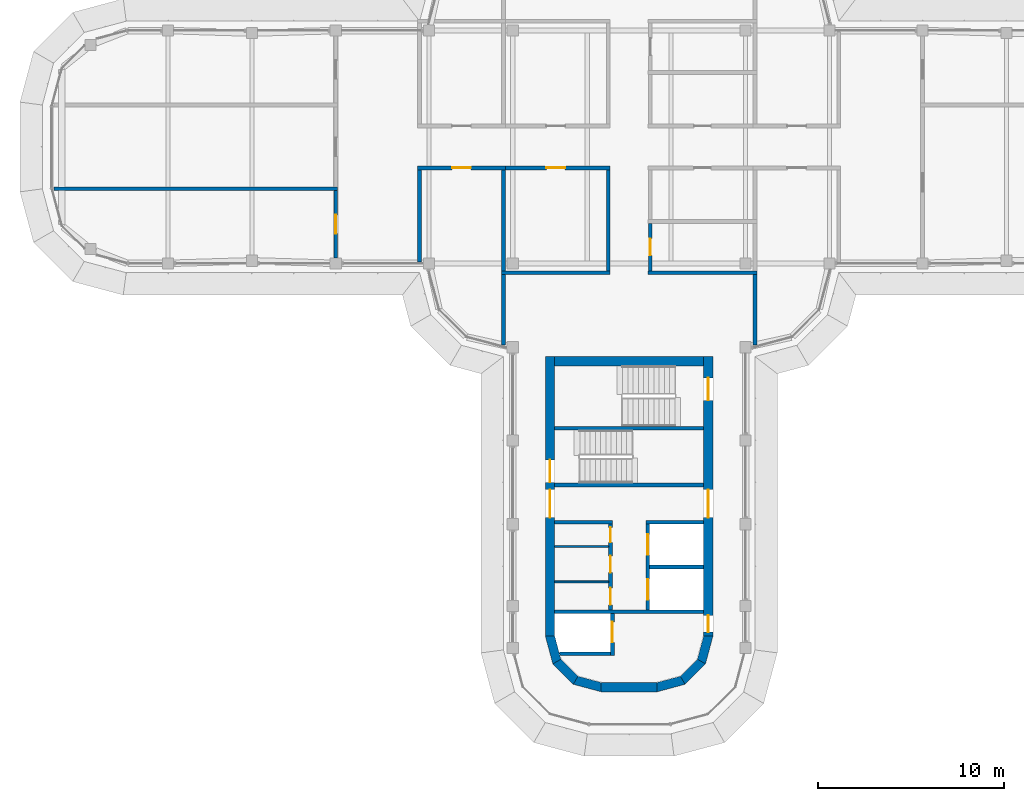
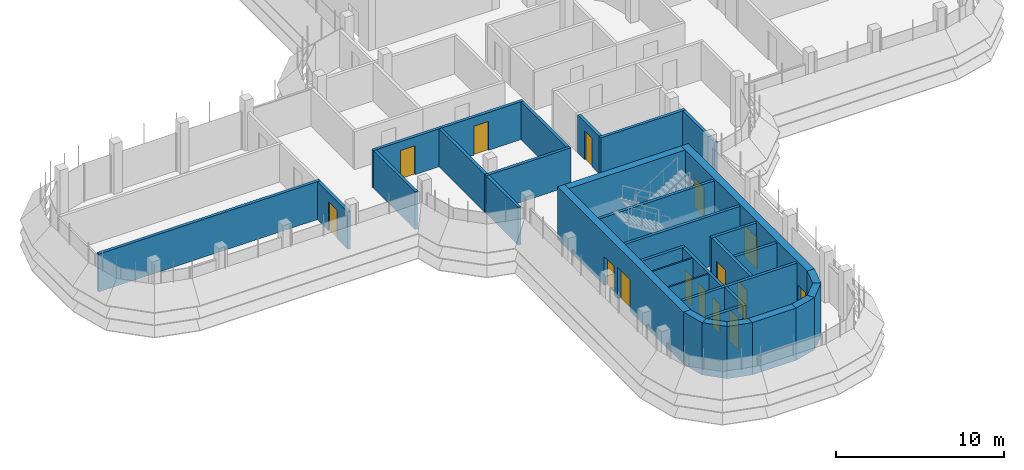
# One storey, part 13 of 19: 34 walls, 15 doors, 15 openings.
"""IFC4 building model written with IfcOpenShell, lengths in metres."""

from ifc_helpers import new_model, si_unit, direction, frame, frame_2d, origin, place, context, subcontext, project, spatial, polyline, rectangle, outline, extrude, material, layer, layer_set, type_object, element, fill, save


model = new_model("IFC4")

# Units and contexts
model_context = context("Model", 3, precision=1e-05, world=origin(), true_north=direction((0.0, 1.0)))
body_context = subcontext(model_context, "Body", "Model", "MODEL_VIEW")
ifc_project = project(units=[si_unit("LENGTHUNIT", "METRE"), si_unit("AREAUNIT", "SQUARE_METRE"), si_unit("VOLUMEUNIT", "CUBIC_METRE"), si_unit("PLANEANGLEUNIT", "RADIAN"), si_unit("MASSUNIT", "GRAM", prefix="KILO")], contexts=[model_context])

# Site, building, storey
site_placement = place(None, origin())
site = spatial("IfcSite", under=ifc_project, at=site_placement, CompositionType="ELEMENT")
building_placement = place(site_placement, origin())
building = spatial("IfcBuilding", under=site, at=building_placement, Name="Zarbagh Exchange Tower", CompositionType="ELEMENT")
storey_placement = place(building_placement, frame((0.0, 0.0, 272.60009765625)))
storey = spatial("IfcBuildingStorey", under=building, at=storey_placement, Name="L67", CompositionType="ELEMENT", Elevation=272.60009765625)

# Walls
ifc_material_1 = material(Name="Dense blockwork", Category="masonry")
ifc_layer_1 = layer(ifc_material_1, 0.10009765625)
ifc_layer_set_1 = layer_set([ifc_layer_1], Name="Core partition 100 mm blockwork")
wall_type_1 = type_object("IfcWallType", Name="Core partition 100 mm blockwork", PredefinedType="PARTITIONING", material=ifc_layer_set_1)
for number, where, z_axis, x_axis, name in (
    (1, (-1.10009765625, -23.35009765625, 0.0), (0.0, 0.0, 1.0), (-1.0, 0.0, 0.0), "South core partition wall CUT-E-500"),
    (2, (-1.10009765625, -21.449951171875, 0.0), (0.0, 0.0, 1.0), (-1.0, 0.0, 0.0), "South core partition wall CUT-E-690"),
):
    element("IfcWall", number, at=place(storey_placement, frame(where, z_axis=z_axis, x_axis=x_axis)), inside=storey, type_object=wall_type_1, Name=name, PredefinedType="PARTITIONING", context=body_context, shape_type="SweptSolid", body=[
        extrude(rectangle(XDim=2.89990234375, YDim=0.10009765625, at=frame_2d((1.449951171875, 0.0))), origin(), (0.0, 0.0, 1.0), 3.64990234375),
    ])

# Wall, opening, door
ifc_material_2 = material(Name="Fire-rated plasterboard partition")
ifc_layer_2 = layer(ifc_material_2, 0.199951171875)
ifc_layer_set_2 = layer_set([ifc_layer_2], Name="RATED PARTITION 200")
wall_type_2 = type_object("IfcWallType", Name="RATED PARTITION 200", PredefinedType="PARTITIONING", material=ifc_layer_set_2)
wall_1_placement = place(storey_placement, frame((-1.02490234375, -1.125, 0.0), z_axis=(0.0, 0.0, 1.0), x_axis=(-1.0, 0.0, 0.0)))
wall_1 = element("IfcWall", 3, at=wall_1_placement, inside=storey, type_object=wall_type_2, Name="Partition W-2807", PredefinedType="PARTITIONING", context=body_context, shape_type="SweptSolid", body=[
    extrude(rectangle(XDim=5.8251953125, YDim=0.199951171875, at=frame_2d((2.91259765625, 0.0))), origin(), (0.0, 0.0, 1.0), 2.75),
])
opening_1_placement = place(wall_1_placement, frame((2.41259765625, 0.0, 0.0)))
opening_1 = element("IfcOpeningElement", 4, at=opening_1_placement, cuts=wall_1, Name="Opening D-2812", PredefinedType="OPENING", context=body_context, shape_type="SweptSolid", body=[
    extrude(rectangle(XDim=1.0, YDim=2.10009765625, at=frame_2d((0.5, 1.050048828125))), frame((0.0, 0.10986328125, 0.0), z_axis=(0.0, -1.0, 0.0), x_axis=(1.0, 0.0, 0.0)), (0.0, 0.0, 1.0), 0.219970703125),
])
ifc_material_3 = material(Name="Steel door set", Category="steel")
door_type_1 = type_object("IfcDoorType", Name="FIRE DOOR 1000 X 2100 FD30S", OperationType="NOTDEFINED", PredefinedType="DOOR", material=ifc_material_3)
door_1_placement = place(opening_1_placement, origin())
door_1 = element("IfcDoor", 5, at=door_1_placement, inside=storey, type_object=door_type_1, Name="Door D-2812", OperationType="SINGLE_SWING_RIGHT", OverallHeight=2.10009765625, OverallWidth=1.0, PredefinedType="DOOR", context=body_context, shape_type="SweptSolid", body=[
    extrude(rectangle(XDim=1.0, YDim=2.10009765625, at=frame_2d((0.5, 1.050048828125))), frame((0.0, 0.02490234375, 0.0), z_axis=(0.0, -1.0, 0.0), x_axis=(1.0, 0.0, 0.0)), (0.0, 0.0, 1.0), 0.050048828125),
])
fill(opening_1, door_1)

wall_2_placement = place(storey_placement, frame((-6.64990234375, -1.125, 0.0), z_axis=(0.0, 0.0, 1.0), x_axis=(-1.0, 0.0, 0.0)))
wall_2 = element("IfcWall", 6, at=wall_2_placement, inside=storey, type_object=wall_type_2, Name="Partition W-2808", PredefinedType="PARTITIONING", context=body_context, shape_type="SweptSolid", body=[
    extrude(rectangle(XDim=4.7001953125, YDim=0.199951171875, at=frame_2d((2.35009765625, 0.0))), origin(), (0.0, 0.0, 1.0), 2.75),
])
opening_2_placement = place(wall_2_placement, frame((1.85009765625, 0.0, 0.0)))
opening_2 = element("IfcOpeningElement", 7, at=opening_2_placement, cuts=wall_2, Name="Opening D-2813", PredefinedType="OPENING", context=body_context, shape_type="SweptSolid", body=[
    extrude(rectangle(XDim=1.0, YDim=2.10009765625, at=frame_2d((0.5, 1.050048828125))), frame((0.0, 0.10986328125, 0.0), z_axis=(0.0, -1.0, 0.0), x_axis=(1.0, 0.0, 0.0)), (0.0, 0.0, 1.0), 0.219970703125),
])
door_2_placement = place(opening_2_placement, origin())
door_2 = element("IfcDoor", 8, at=door_2_placement, inside=storey, type_object=door_type_1, Name="Door D-2813", OperationType="SINGLE_SWING_RIGHT", OverallHeight=2.10009765625, OverallWidth=1.0, PredefinedType="DOOR", context=body_context, shape_type="SweptSolid", body=[
    extrude(rectangle(XDim=1.0, YDim=2.10009765625, at=frame_2d((0.5, 1.050048828125))), frame((0.0, 0.02490234375, 0.0), z_axis=(0.0, -1.0, 0.0), x_axis=(1.0, 0.0, 0.0)), (0.0, 0.0, 1.0), 0.050048828125),
])
fill(opening_2, door_2)

wall_3_placement = place(storey_placement, frame((1.125, -4.10009765625, 0.0), z_axis=(0.0, 0.0, 1.0), x_axis=(0.0, -1.0, 0.0)))
wall_3 = element("IfcWall", 9, at=wall_3_placement, inside=storey, type_object=wall_type_2, Name="Partition W-2813", PredefinedType="PARTITIONING", context=body_context, shape_type="SweptSolid", body=[
    extrude(rectangle(XDim=2.5498046875, YDim=0.199951171875, at=frame_2d((1.27490234375, 0.0))), origin(), (0.0, 0.0, 1.0), 2.75),
])
opening_3_placement = place(wall_3_placement, frame((0.824951171875, 0.0, 0.0)))
opening_3 = element("IfcOpeningElement", 10, at=opening_3_placement, cuts=wall_3, Name="Opening D-2810", PredefinedType="OPENING", context=body_context, shape_type="SweptSolid", body=[
    extrude(rectangle(XDim=0.89990234375, YDim=2.10009765625, at=frame_2d((0.449951171875, 1.050048828125))), frame((0.0, 0.10986328125, 0.0), z_axis=(0.0, -1.0, 0.0), x_axis=(1.0, 0.0, 0.0)), (0.0, 0.0, 1.0), 0.219970703125),
])
ifc_material_4 = material(Name="Timber door leaf", Category="wood")
door_type_2 = type_object("IfcDoorType", Name="DOOR 900 X 2100", OperationType="NOTDEFINED", PredefinedType="DOOR", material=ifc_material_4)
door_3_placement = place(opening_3_placement, origin())
door_3 = element("IfcDoor", 11, at=door_3_placement, inside=storey, type_object=door_type_2, Name="Door D-2810", OperationType="SINGLE_SWING_RIGHT", OverallHeight=2.10009765625, OverallWidth=0.89990234375, PredefinedType="DOOR", context=body_context, shape_type="SweptSolid", body=[
    extrude(rectangle(XDim=0.89990234375, YDim=2.10009765625, at=frame_2d((0.449951171875, 1.050048828125))), frame((0.0, 0.02490234375, 0.0), z_axis=(0.0, -1.0, 0.0), x_axis=(1.0, 0.0, 0.0)), (0.0, 0.0, 1.0), 0.050048828125),
])
fill(opening_3, door_3)

# Walls
wall_4_placement = place(storey_placement, frame((-1.125, -6.64990234375, 0.0), z_axis=(0.0, 0.0, 1.0), x_axis=(0.0, 1.0, 0.0)))
element("IfcWall", 12, at=wall_4_placement, inside=storey, type_object=wall_type_2, Name="Partition W-2814", PredefinedType="PARTITIONING", context=body_context, shape_type="SweptSolid", body=[
    extrude(rectangle(XDim=5.4248046875, YDim=0.199951171875, at=frame_2d((2.71240234375, 0.0))), origin(), (0.0, 0.0, 1.0), 2.75),
])
wall_5_placement = place(storey_placement, frame((1.02490234375, -6.75, 0.0), z_axis=(0.0, 0.0, 1.0), x_axis=(1.0, 0.0, 0.0)))
element("IfcWall", 13, at=wall_5_placement, inside=storey, type_object=wall_type_2, Name="Partition W-2819", PredefinedType="PARTITIONING", context=body_context, shape_type="SweptSolid", body=[
    extrude(rectangle(XDim=5.8251953125, YDim=0.199951171875, at=frame_2d((2.91259765625, 0.0))), origin(), (0.0, 0.0, 1.0), 2.75),
])
wall_6_placement = place(storey_placement, frame((6.75, -10.6298828125, 0.0), z_axis=(0.0, 0.0, 1.0), x_axis=(0.0, 1.0, 0.0)))
element("IfcWall", 14, at=wall_6_placement, inside=storey, type_object=wall_type_2, Name="Partition W-2820", PredefinedType="PARTITIONING", context=body_context, shape_type="SweptSolid", body=[
    extrude(rectangle(XDim=3.77978515625, YDim=0.199951171875, at=frame_2d((1.889892578125, 0.0))), origin(), (0.0, 0.0, 1.0), 2.75),
])
wall_7_placement = place(storey_placement, frame((-6.85009765625, -6.75, 0.0), z_axis=(0.0, 0.0, 1.0), x_axis=(1.0, 0.0, 0.0)))
element("IfcWall", 15, at=wall_7_placement, inside=storey, type_object=wall_type_2, Name="Partition W-2821", PredefinedType="PARTITIONING", context=body_context, shape_type="SweptSolid", body=[
    extrude(rectangle(XDim=5.8251953125, YDim=0.199951171875, at=frame_2d((2.91259765625, 0.0))), origin(), (0.0, 0.0, 1.0), 2.75),
])
wall_8_placement = place(storey_placement, frame((-6.75, -10.6298828125, 0.0), z_axis=(0.0, 0.0, 1.0), x_axis=(0.0, 1.0, 0.0)))
element("IfcWall", 16, at=wall_8_placement, inside=storey, type_object=wall_type_2, Name="Partition W-2822", PredefinedType="PARTITIONING", context=body_context, shape_type="SweptSolid", body=[
    extrude(rectangle(XDim=3.77978515625, YDim=0.199951171875, at=frame_2d((1.889892578125, 0.0))), origin(), (0.0, 0.0, 1.0), 2.75),
])
wall_9_placement = place(storey_placement, frame((-6.75, -6.64990234375, 0.0), z_axis=(0.0, 0.0, 1.0), x_axis=(0.0, 1.0, 0.0)))
element("IfcWall", 17, at=wall_9_placement, inside=storey, type_object=wall_type_2, Name="Partition W-2834", PredefinedType="PARTITIONING", context=body_context, shape_type="SweptSolid", body=[
    extrude(rectangle(XDim=5.4248046875, YDim=0.199951171875, at=frame_2d((2.71240234375, 0.0))), origin(), (0.0, 0.0, 1.0), 2.75),
])
wall_10_placement = place(storey_placement, frame((-11.25, -6.169921875, 0.0), z_axis=(0.0, 0.0, 1.0), x_axis=(0.0, 1.0, 0.0)))
element("IfcWall", 18, at=wall_10_placement, inside=storey, type_object=wall_type_2, Name="Partition W-2835", PredefinedType="PARTITIONING", context=body_context, shape_type="SweptSolid", body=[
    extrude(rectangle(XDim=4.94482421875, YDim=0.199951171875, at=frame_2d((2.472412109375, 0.0))), origin(), (0.0, 0.0, 1.0), 2.75),
])

# Wall, opening, door
wall_11_placement = place(storey_placement, frame((-15.75, -5.949951171875, 0.0), z_axis=(0.0, 0.0, 1.0), x_axis=(0.0, 1.0, 0.0)))
wall_11 = element("IfcWall", 19, at=wall_11_placement, inside=storey, type_object=wall_type_2, Name="Partition W-2839", PredefinedType="PARTITIONING", context=body_context, shape_type="SweptSolid", body=[
    extrude(rectangle(XDim=3.599853515625, YDim=0.199951171875, at=frame_2d((1.7998046875, 0.0))), origin(), (0.0, 0.0, 1.0), 2.75),
])
opening_4_placement = place(wall_11_placement, frame((1.300048828125, 0.0, 0.0)))
opening_4 = element("IfcOpeningElement", 20, at=opening_4_placement, cuts=wall_11, Name="Opening D-2814", PredefinedType="OPENING", context=body_context, shape_type="SweptSolid", body=[
    extrude(rectangle(XDim=1.0, YDim=2.10009765625, at=frame_2d((0.5, 1.050048828125))), frame((0.0, 0.10986328125, 0.0), z_axis=(0.0, -1.0, 0.0), x_axis=(1.0, 0.0, 0.0)), (0.0, 0.0, 1.0), 0.219970703125),
])
door_4_placement = place(opening_4_placement, origin())
door_4 = element("IfcDoor", 21, at=door_4_placement, inside=storey, type_object=door_type_1, Name="Door D-2814", OperationType="SINGLE_SWING_LEFT", OverallHeight=2.10009765625, OverallWidth=1.0, PredefinedType="DOOR", context=body_context, shape_type="SweptSolid", body=[
    extrude(rectangle(XDim=1.0, YDim=2.10009765625, at=frame_2d((0.5, 1.050048828125))), frame((0.0, 0.02490234375, 0.0), z_axis=(0.0, -1.0, 0.0), x_axis=(1.0, 0.0, 0.0)), (0.0, 0.0, 1.0), 0.050048828125),
])
fill(opening_4, door_4)

# Walls
wall_12_placement = place(storey_placement, frame((-30.8798828125, -2.25, 0.0), z_axis=(0.0, 0.0, 1.0), x_axis=(1.0, 0.0, 0.0)))
element("IfcWall", 22, at=wall_12_placement, inside=storey, type_object=wall_type_2, Name="Partition W-2842", PredefinedType="PARTITIONING", context=body_context, shape_type="SweptSolid", body=[
    extrude(rectangle(XDim=15.22998046875, YDim=0.199951171875, at=frame_2d((7.614990234375, 0.0))), origin(), (0.0, 0.0, 1.0), 2.75),
])
ifc_material_5 = material(Name="Concrete C40/50", Category="concrete")
ifc_layer_3 = layer(ifc_material_5, 0.5)
ifc_layer_set_3 = layer_set([ifc_layer_3], Name="RC core corner wall 500 C40/50")
wall_type_3 = type_object("IfcWallType", Name="RC core corner wall 500 C40/50", PredefinedType="SHEAR", material=ifc_layer_set_3)
wall_13_placement = place(storey_placement, origin())
element("IfcWall", 23, at=wall_13_placement, inside=storey, type_object=wall_type_3, Name="CW10 core S corner W", PredefinedType="SHEAR", context=body_context, shape_type="SweptSolid", body=[
    extrude(outline(polyline([(-4.5, -26.25), (-4.09814453125, -27.75), (-3.6650390625, -27.5), (-4.0, -26.25), (-4.5, -26.25)])), origin(), (0.0, 0.0, 1.0), 3.7998046875),
])
wall_14_placement = place(storey_placement, origin())
element("IfcWall", 24, at=wall_14_placement, inside=storey, type_object=wall_type_3, Name="CW10 core S corner W", PredefinedType="SHEAR", context=body_context, shape_type="SweptSolid", body=[
    extrude(outline(polyline([(-4.09814453125, -27.75), (-3.0, -28.84814453125), (-2.75, -28.4150390625), (-3.6650390625, -27.5), (-4.09814453125, -27.75)])), origin(), (0.0, 0.0, 1.0), 3.7998046875),
])
wall_15_placement = place(storey_placement, origin())
element("IfcWall", 25, at=wall_15_placement, inside=storey, type_object=wall_type_3, Name="CW10 core S corner W", PredefinedType="SHEAR", context=body_context, shape_type="SweptSolid", body=[
    extrude(outline(polyline([(-3.0, -28.84814453125), (-1.5, -29.25), (-1.5, -28.75), (-2.75, -28.4150390625), (-3.0, -28.84814453125)])), origin(), (0.0, 0.0, 1.0), 3.7998046875),
])
wall_16_placement = place(storey_placement, origin())
element("IfcWall", 26, at=wall_16_placement, inside=storey, type_object=wall_type_3, Name="CW10 core S corner E", PredefinedType="SHEAR", context=body_context, shape_type="SweptSolid", body=[
    extrude(outline(polyline([(4.5, -26.25), (4.09814453125, -27.75), (3.6650390625, -27.5), (4.0, -26.25), (4.5, -26.25)])), origin(), (0.0, 0.0, 1.0), 3.7998046875),
])
wall_17_placement = place(storey_placement, origin())
element("IfcWall", 27, at=wall_17_placement, inside=storey, type_object=wall_type_3, Name="CW10 core S corner E", PredefinedType="SHEAR", context=body_context, shape_type="SweptSolid", body=[
    extrude(outline(polyline([(4.09814453125, -27.75), (3.0, -28.84814453125), (2.75, -28.4150390625), (3.6650390625, -27.5), (4.09814453125, -27.75)])), origin(), (0.0, 0.0, 1.0), 3.7998046875),
])
wall_18_placement = place(storey_placement, origin())
element("IfcWall", 28, at=wall_18_placement, inside=storey, type_object=wall_type_3, Name="CW10 core S corner E", PredefinedType="SHEAR", context=body_context, shape_type="SweptSolid", body=[
    extrude(outline(polyline([(3.0, -28.84814453125), (1.5, -29.25), (1.5, -28.75), (2.75, -28.4150390625), (3.0, -28.84814453125)])), origin(), (0.0, 0.0, 1.0), 3.7998046875),
])

# Wall, openings, doors
ifc_layer_4 = layer(ifc_material_5, 0.5)
ifc_layer_set_4 = layer_set([ifc_layer_4], Name="RC core wall 500 C40/50")
wall_type_4 = type_object("IfcWallType", Name="RC core wall 500 C40/50", PredefinedType="SHEAR", material=ifc_layer_set_4)
wall_19_placement = place(storey_placement, frame((-4.25, -11.25, 0.0), z_axis=(0.0, 0.0, 1.0), x_axis=(0.0, -1.0, 0.0)))
wall_19 = element("IfcWall", 29, at=wall_19_placement, inside=storey, type_object=wall_type_4, Name="CW9 core S W", PredefinedType="SHEAR", context=body_context, shape_type="SweptSolid", body=[
    extrude(rectangle(XDim=15.0, YDim=0.5, at=frame_2d((7.5, 0.0))), origin(), (0.0, 0.0, 1.0), 3.7998046875),
])
opening_5_placement = place(wall_19_placement, frame((7.14990234375, 0.0, 0.0)))
opening_5 = element("IfcOpeningElement", 30, at=opening_5_placement, cuts=wall_19, Name="Opening CD1-1500", PredefinedType="OPENING", context=body_context, shape_type="SweptSolid", body=[
    extrude(rectangle(XDim=1.5, YDim=2.300048828125, at=frame_2d((0.75, 1.14990234375))), frame((0.0, 0.260009765625, 0.0), z_axis=(0.0, -1.0, 0.0), x_axis=(1.0, 0.0, 0.0)), (0.0, 0.0, 1.0), 0.52001953125),
])
opening_6_placement = place(wall_19_placement, frame((5.550048828125, 0.0, 0.0)))
opening_6 = element("IfcOpeningElement", 31, at=opening_6_placement, cuts=wall_19, Name="Opening SD1-1200", PredefinedType="OPENING", context=body_context, shape_type="SweptSolid", body=[
    extrude(rectangle(XDim=1.199951171875, YDim=2.10009765625, at=frame_2d((0.60009765625, 1.050048828125))), frame((0.0, 0.260009765625, 0.0), z_axis=(0.0, -1.0, 0.0), x_axis=(1.0, 0.0, 0.0)), (0.0, 0.0, 1.0), 0.52001953125),
])
ifc_material_6 = material(Name="Steel", Category="steel")
door_type_3 = type_object("IfcDoorType", Name="Exit stair door 1200 x 2100", OperationType="NOTDEFINED", PredefinedType="DOOR", material=ifc_material_6)
door_5_placement = place(opening_6_placement, origin())
door_5 = element("IfcDoor", 32, at=door_5_placement, inside=storey, type_object=door_type_3, Name="South core stair door ST1", OperationType="SINGLE_SWING_LEFT", OverallHeight=2.10009765625, OverallWidth=1.199951171875, PredefinedType="DOOR", context=body_context, shape_type="SweptSolid", body=[
    extrude(rectangle(XDim=1.199951171875, YDim=2.10009765625, at=frame_2d((0.60009765625, 1.050048828125))), frame((0.0, 0.02490234375, 0.0), z_axis=(0.0, -1.0, 0.0), x_axis=(1.0, 0.0, 0.0)), (0.0, 0.0, 1.0), 0.050048828125),
])
fill(opening_6, door_5)
door_type_4 = type_object("IfcDoorType", Name="Lift lobby double door 1500 x 2300", OperationType="NOTDEFINED", PredefinedType="DOOR", material=ifc_material_6)
door_6_placement = place(opening_5_placement, origin())
door_6 = element("IfcDoor", 33, at=door_6_placement, inside=storey, type_object=door_type_4, Name="South core lift lobby door LOBBY-E", OperationType="DOUBLE_DOOR_SINGLE_SWING", OverallHeight=2.300048828125, OverallWidth=1.5, PredefinedType="DOOR", context=body_context, shape_type="SweptSolid", body=[
    extrude(rectangle(XDim=1.5, YDim=2.300048828125, at=frame_2d((0.75, 1.14990234375))), frame((0.0, 0.02490234375, 0.0), z_axis=(0.0, -1.0, 0.0), x_axis=(1.0, 0.0, 0.0)), (0.0, 0.0, 1.0), 0.050048828125),
])
fill(opening_5, door_6)

wall_20_placement = place(storey_placement, frame((4.25, -11.25, 0.0), z_axis=(0.0, 0.0, 1.0), x_axis=(0.0, -1.0, 0.0)))
wall_20 = element("IfcWall", 34, at=wall_20_placement, inside=storey, type_object=wall_type_4, Name="CW9 core S E", PredefinedType="SHEAR", context=body_context, shape_type="SweptSolid", body=[
    extrude(rectangle(XDim=15.0, YDim=0.5, at=frame_2d((7.5, 0.0))), origin(), (0.0, 0.0, 1.0), 3.7998046875),
])
opening_7_placement = place(wall_20_placement, frame((7.14990234375, 0.0, 0.0)))
opening_7 = element("IfcOpeningElement", 35, at=opening_7_placement, cuts=wall_20, Name="Opening CD1-1500", PredefinedType="OPENING", context=body_context, shape_type="SweptSolid", body=[
    extrude(rectangle(XDim=1.5, YDim=2.300048828125, at=frame_2d((0.75, 1.14990234375))), frame((0.0, 0.260009765625, 0.0), z_axis=(0.0, -1.0, 0.0), x_axis=(1.0, 0.0, 0.0)), (0.0, 0.0, 1.0), 0.52001953125),
])
opening_8_placement = place(wall_20_placement, frame((13.89990234375, 0.0, 0.0)))
opening_8 = element("IfcOpeningElement", 36, at=opening_8_placement, cuts=wall_20, Name="Opening CD2-900", PredefinedType="OPENING", context=body_context, shape_type="SweptSolid", body=[
    extrude(rectangle(XDim=0.89990234375, YDim=2.10009765625, at=frame_2d((0.449951171875, 1.050048828125))), frame((0.0, 0.260009765625, 0.0), z_axis=(0.0, -1.0, 0.0), x_axis=(1.0, 0.0, 0.0)), (0.0, 0.0, 1.0), 0.52001953125),
])
opening_9_placement = place(wall_20_placement, frame((1.14990234375, 0.0, 0.0)))
opening_9 = element("IfcOpeningElement", 37, at=opening_9_placement, cuts=wall_20, Name="Opening SD1-1200", PredefinedType="OPENING", context=body_context, shape_type="SweptSolid", body=[
    extrude(rectangle(XDim=1.199951171875, YDim=2.10009765625, at=frame_2d((0.60009765625, 1.050048828125))), frame((0.0, 0.260009765625, 0.0), z_axis=(0.0, -1.0, 0.0), x_axis=(1.0, 0.0, 0.0)), (0.0, 0.0, 1.0), 0.52001953125),
])
door_7_placement = place(opening_9_placement, origin())
door_7 = element("IfcDoor", 38, at=door_7_placement, inside=storey, type_object=door_type_3, Name="South core stair door ST2", OperationType="SINGLE_SWING_LEFT", OverallHeight=2.10009765625, OverallWidth=1.199951171875, PredefinedType="DOOR", context=body_context, shape_type="SweptSolid", body=[
    extrude(rectangle(XDim=1.199951171875, YDim=2.10009765625, at=frame_2d((0.60009765625, 1.050048828125))), frame((0.0, 0.02490234375, 0.0), z_axis=(0.0, -1.0, 0.0), x_axis=(1.0, 0.0, 0.0)), (0.0, 0.0, 1.0), 0.050048828125),
])
fill(opening_9, door_7)
door_type_5 = type_object("IfcDoorType", Name="Firefighting lobby door 900 x 2100", OperationType="NOTDEFINED", PredefinedType="DOOR", material=ifc_material_6)
door_8_placement = place(opening_8_placement, origin())
door_8 = element("IfcDoor", 39, at=door_8_placement, inside=storey, type_object=door_type_5, Name="South core firefighting lobby door FF-W", OperationType="SINGLE_SWING_RIGHT", OverallHeight=2.10009765625, OverallWidth=0.89990234375, PredefinedType="DOOR", context=body_context, shape_type="SweptSolid", body=[
    extrude(rectangle(XDim=0.89990234375, YDim=2.10009765625, at=frame_2d((0.449951171875, 1.050048828125))), frame((0.0, 0.02490234375, 0.0), z_axis=(0.0, -1.0, 0.0), x_axis=(1.0, 0.0, 0.0)), (0.0, 0.0, 1.0), 0.050048828125),
])
fill(opening_8, door_8)
door_9_placement = place(opening_7_placement, origin())
door_9 = element("IfcDoor", 40, at=door_9_placement, inside=storey, type_object=door_type_4, Name="South core lift lobby door LOBBY-W", OperationType="DOUBLE_DOOR_SINGLE_SWING", OverallHeight=2.300048828125, OverallWidth=1.5, PredefinedType="DOOR", context=body_context, shape_type="SweptSolid", body=[
    extrude(rectangle(XDim=1.5, YDim=2.300048828125, at=frame_2d((0.75, 1.14990234375))), frame((0.0, 0.02490234375, 0.0), z_axis=(0.0, -1.0, 0.0), x_axis=(1.0, 0.0, 0.0)), (0.0, 0.0, 1.0), 0.050048828125),
])
fill(opening_7, door_9)

# Walls
wall_21_placement = place(storey_placement, frame((-4.0, -11.5, 0.0), z_axis=(0.0, 0.0, 1.0), x_axis=(1.0, 0.0, 0.0)))
element("IfcWall", 41, at=wall_21_placement, inside=storey, type_object=wall_type_4, Name="CW9 core S inner end", PredefinedType="SHEAR", context=body_context, shape_type="SweptSolid", body=[
    extrude(rectangle(XDim=8.0, YDim=0.5, at=frame_2d((4.0, 0.0))), origin(), (0.0, 0.0, 1.0), 3.7998046875),
])
wall_22_placement = place(storey_placement, frame((-1.5, -29.0, 0.0), z_axis=(0.0, 0.0, 1.0), x_axis=(1.0, 0.0, 0.0)))
element("IfcWall", 42, at=wall_22_placement, inside=storey, type_object=wall_type_4, Name="CW9 core S outer end", PredefinedType="SHEAR", context=body_context, shape_type="SweptSolid", body=[
    extrude(rectangle(XDim=3.0, YDim=0.5, at=frame_2d((1.5, 0.0))), origin(), (0.0, 0.0, 1.0), 3.7998046875),
])
ifc_layer_5 = layer(ifc_material_1, 0.199951171875)
ifc_layer_set_5 = layer_set([ifc_layer_5], Name="Shaft wall 200 mm blockwork")
wall_type_5 = type_object("IfcWallType", Name="Shaft wall 200 mm blockwork", PredefinedType="PARTITIONING", material=ifc_layer_set_5)
wall_23_placement = place(storey_placement, frame((4.0, -20.14990234375, 0.0), z_axis=(0.0, 0.0, 1.0), x_axis=(-1.0, 0.0, 0.0)))
element("IfcWall", 43, at=wall_23_placement, inside=storey, type_object=wall_type_5, Name="South core shaft wall AB-W", PredefinedType="PARTITIONING", context=body_context, shape_type="SweptSolid", body=[
    extrude(rectangle(XDim=3.10009765625, YDim=0.199951171875, at=frame_2d((1.550048828125, 0.0))), origin(), (0.0, 0.0, 1.0), 3.64990234375),
])

# Wall, openings, doors
wall_24_placement = place(storey_placement, frame((1.0, -24.85009765625, 0.0), z_axis=(0.0, 0.0, 1.0), x_axis=(0.0, 1.0, 0.0)))
wall_24 = element("IfcWall", 44, at=wall_24_placement, inside=storey, type_object=wall_type_5, Name="South core shaft wall LW-W", PredefinedType="PARTITIONING", context=body_context, shape_type="SweptSolid", body=[
    extrude(rectangle(XDim=4.60009765625, YDim=0.199951171875, at=frame_2d((2.300048828125, 0.0))), origin(), (0.0, 0.0, 1.0), 3.64990234375),
])
opening_10_placement = place(wall_24_placement, frame((0.550048828125, 0.0, 0.0)))
opening_10 = element("IfcOpeningElement", 45, at=opening_10_placement, cuts=wall_24, Name="Opening LD-1100", PredefinedType="OPENING", context=body_context, shape_type="SweptSolid", body=[
    extrude(rectangle(XDim=1.10009765625, YDim=2.300048828125, at=frame_2d((0.550048828125, 1.14990234375))), frame((0.0, 0.10986328125, 0.0), z_axis=(0.0, -1.0, 0.0), x_axis=(1.0, 0.0, 0.0)), (0.0, 0.0, 1.0), 0.219970703125),
])
opening_11_placement = place(wall_24_placement, frame((2.949951171875, 0.0, 0.0)))
opening_11 = element("IfcOpeningElement", 46, at=opening_11_placement, cuts=wall_24, Name="Opening LD-1100", PredefinedType="OPENING", context=body_context, shape_type="SweptSolid", body=[
    extrude(rectangle(XDim=1.10009765625, YDim=2.300048828125, at=frame_2d((0.550048828125, 1.14990234375))), frame((0.0, 0.10986328125, 0.0), z_axis=(0.0, -1.0, 0.0), x_axis=(1.0, 0.0, 0.0)), (0.0, 0.0, 1.0), 0.219970703125),
])
ifc_material_7 = material(Name="Stainless steel", Category="steel")
door_type_6 = type_object("IfcDoorType", Name="Lift landing door 1100 x 2300", OperationType="NOTDEFINED", PredefinedType="DOOR", material=ifc_material_7)
door_10_placement = place(opening_10_placement, origin())
door_10 = element("IfcDoor", 47, at=door_10_placement, inside=storey, type_object=door_type_6, Name="South core lift landing door LD-P-S1", OperationType="DOUBLE_DOOR_SLIDING", OverallHeight=2.300048828125, OverallWidth=1.10009765625, PredefinedType="DOOR", context=body_context, shape_type="SweptSolid", body=[
    extrude(rectangle(XDim=1.10009765625, YDim=2.300048828125, at=frame_2d((0.550048828125, 1.14990234375))), frame((0.0, 0.02490234375, 0.0), z_axis=(0.0, -1.0, 0.0), x_axis=(1.0, 0.0, 0.0)), (0.0, 0.0, 1.0), 0.050048828125),
])
fill(opening_10, door_10)
door_11_placement = place(opening_11_placement, origin())
door_11 = element("IfcDoor", 48, at=door_11_placement, inside=storey, type_object=door_type_6, Name="South core lift landing door LD-P-S2", OperationType="DOUBLE_DOOR_SLIDING", OverallHeight=2.300048828125, OverallWidth=1.10009765625, PredefinedType="DOOR", context=body_context, shape_type="SweptSolid", body=[
    extrude(rectangle(XDim=1.10009765625, YDim=2.300048828125, at=frame_2d((0.550048828125, 1.14990234375))), frame((0.0, 0.02490234375, 0.0), z_axis=(0.0, -1.0, 0.0), x_axis=(1.0, 0.0, 0.0)), (0.0, 0.0, 1.0), 0.050048828125),
])
fill(opening_11, door_11)

# Wall
wall_25_placement = place(storey_placement, frame((-0.89990234375, -20.14990234375, 0.0), z_axis=(0.0, 0.0, 1.0), x_axis=(-1.0, 0.0, 0.0)))
element("IfcWall", 49, at=wall_25_placement, inside=storey, type_object=wall_type_5, Name="South core shaft wall AB-E", PredefinedType="PARTITIONING", context=body_context, shape_type="SweptSolid", body=[
    extrude(rectangle(XDim=3.10009765625, YDim=0.199951171875, at=frame_2d((1.550048828125, 0.0))), origin(), (0.0, 0.0, 1.0), 3.64990234375),
])

# Wall, openings, doors
wall_26_placement = place(storey_placement, frame((-1.0, -24.85009765625, 0.0), z_axis=(0.0, 0.0, 1.0), x_axis=(0.0, 1.0, 0.0)))
wall_26 = element("IfcWall", 50, at=wall_26_placement, inside=storey, type_object=wall_type_5, Name="South core shaft wall LW-E", PredefinedType="PARTITIONING", context=body_context, shape_type="SweptSolid", body=[
    extrude(rectangle(XDim=4.60009765625, YDim=0.199951171875, at=frame_2d((2.300048828125, 0.0))), origin(), (0.0, 0.0, 1.0), 3.64990234375),
])
opening_12_placement = place(wall_26_placement, frame((0.27490234375, 0.0, 0.0)))
opening_12 = element("IfcOpeningElement", 51, at=opening_12_placement, cuts=wall_26, Name="Opening CD3-900", PredefinedType="OPENING", context=body_context, shape_type="SweptSolid", body=[
    extrude(rectangle(XDim=0.89990234375, YDim=2.10009765625, at=frame_2d((0.449951171875, 1.050048828125))), frame((0.0, 0.10986328125, 0.0), z_axis=(0.0, -1.0, 0.0), x_axis=(1.0, 0.0, 0.0)), (0.0, 0.0, 1.0), 0.219970703125),
])
opening_13_placement = place(wall_26_placement, frame((2.0, 0.0, 0.0)))
opening_13 = element("IfcOpeningElement", 52, at=opening_13_placement, cuts=wall_26, Name="Opening CD3-900", PredefinedType="OPENING", context=body_context, shape_type="SweptSolid", body=[
    extrude(rectangle(XDim=0.89990234375, YDim=2.10009765625, at=frame_2d((0.449951171875, 1.050048828125))), frame((0.0, 0.10986328125, 0.0), z_axis=(0.0, -1.0, 0.0), x_axis=(1.0, 0.0, 0.0)), (0.0, 0.0, 1.0), 0.219970703125),
])
opening_14_placement = place(wall_26_placement, frame((3.625, 0.0, 0.0)))
opening_14 = element("IfcOpeningElement", 53, at=opening_14_placement, cuts=wall_26, Name="Opening CD3-800", PredefinedType="OPENING", context=body_context, shape_type="SweptSolid", body=[
    extrude(rectangle(XDim=0.800048828125, YDim=2.10009765625, at=frame_2d((0.39990234375, 1.050048828125))), frame((0.0, 0.10986328125, 0.0), z_axis=(0.0, -1.0, 0.0), x_axis=(1.0, 0.0, 0.0)), (0.0, 0.0, 1.0), 0.219970703125),
])
door_type_7 = type_object("IfcDoorType", Name="Core room door 800 x 2100", OperationType="NOTDEFINED", PredefinedType="DOOR", material=ifc_material_6)
door_12_placement = place(opening_14_placement, origin())
door_12 = element("IfcDoor", 54, at=door_12_placement, inside=storey, type_object=door_type_7, Name="South core IT room door RD-E-2", OperationType="SINGLE_SWING_RIGHT", OverallHeight=2.10009765625, OverallWidth=0.800048828125, PredefinedType="DOOR", context=body_context, shape_type="SweptSolid", body=[
    extrude(rectangle(XDim=0.800048828125, YDim=2.10009765625, at=frame_2d((0.39990234375, 1.050048828125))), frame((0.0, 0.02490234375, 0.0), z_axis=(0.0, -1.0, 0.0), x_axis=(1.0, 0.0, 0.0)), (0.0, 0.0, 1.0), 0.050048828125),
])
fill(opening_14, door_12)
door_type_8 = type_object("IfcDoorType", Name="Core room door 900 x 2100", OperationType="NOTDEFINED", PredefinedType="DOOR", material=ifc_material_6)
door_13_placement = place(opening_12_placement, origin())
door_13 = element("IfcDoor", 55, at=door_13_placement, inside=storey, type_object=door_type_8, Name="South core Cleaner's store door RD-E-0", OperationType="SINGLE_SWING_RIGHT", OverallHeight=2.10009765625, OverallWidth=0.89990234375, PredefinedType="DOOR", context=body_context, shape_type="SweptSolid", body=[
    extrude(rectangle(XDim=0.89990234375, YDim=2.10009765625, at=frame_2d((0.449951171875, 1.050048828125))), frame((0.0, 0.02490234375, 0.0), z_axis=(0.0, -1.0, 0.0), x_axis=(1.0, 0.0, 0.0)), (0.0, 0.0, 1.0), 0.050048828125),
])
fill(opening_12, door_13)
door_14_placement = place(opening_13_placement, origin())
door_14 = element("IfcDoor", 56, at=door_14_placement, inside=storey, type_object=door_type_8, Name="South core Pantry door RD-E-1", OperationType="SINGLE_SWING_LEFT", OverallHeight=2.10009765625, OverallWidth=0.89990234375, PredefinedType="DOOR", context=body_context, shape_type="SweptSolid", body=[
    extrude(rectangle(XDim=0.89990234375, YDim=2.10009765625, at=frame_2d((0.449951171875, 1.050048828125))), frame((0.0, 0.02490234375, 0.0), z_axis=(0.0, -1.0, 0.0), x_axis=(1.0, 0.0, 0.0)), (0.0, 0.0, 1.0), 0.050048828125),
])
fill(opening_13, door_14)

# Walls
wall_27_placement = place(storey_placement, frame((4.0, -22.550048828125, 0.0), z_axis=(0.0, 0.0, 1.0), x_axis=(-1.0, 0.0, 0.0)))
element("IfcWall", 57, at=wall_27_placement, inside=storey, type_object=wall_type_5, Name="South core shaft wall TR-W", PredefinedType="PARTITIONING", context=body_context, shape_type="SweptSolid", body=[
    extrude(rectangle(XDim=2.89990234375, YDim=0.199951171875, at=frame_2d((1.449951171875, 0.0))), origin(), (0.0, 0.0, 1.0), 3.64990234375),
])
ifc_layer_6 = layer(ifc_material_5, 0.199951171875)
ifc_layer_set_6 = layer_set([ifc_layer_6], Name="Stair enclosure wall 200 mm RC C40/50")
wall_type_6 = type_object("IfcWallType", Name="Stair enclosure wall 200 mm RC C40/50", PredefinedType="SHEAR", material=ifc_layer_set_6)
wall_28_placement = place(storey_placement, frame((4.0, -24.949951171875, 0.0), z_axis=(0.0, 0.0, 1.0), x_axis=(-1.0, 0.0, 0.0)))
element("IfcWall", 58, at=wall_28_placement, inside=storey, type_object=wall_type_6, Name="South core lift shaft wall FFA", PredefinedType="SHEAR", context=body_context, shape_type="SweptSolid", body=[
    extrude(rectangle(XDim=8.0, YDim=0.199951171875, at=frame_2d((4.0, 0.0))), origin(), (0.0, 0.0, 1.0), 3.64990234375),
])

# Wall, opening, door
wall_29_placement = place(storey_placement, frame((-0.89990234375, -27.300048828125, 0.0), z_axis=(0.0, 0.0, 1.0), x_axis=(0.0, 1.0, 0.0)))
wall_29 = element("IfcWall", 59, at=wall_29_placement, inside=storey, type_object=wall_type_6, Name="South core lift shaft wall FFL", PredefinedType="SHEAR", context=body_context, shape_type="SweptSolid", body=[
    extrude(rectangle(XDim=2.25, YDim=0.199951171875, at=frame_2d((1.125, 0.0))), origin(), (0.0, 0.0, 1.0), 3.64990234375),
])
opening_15_placement = place(wall_29_placement, frame((0.699951171875, 0.0, 0.0)))
opening_15 = element("IfcOpeningElement", 60, at=opening_15_placement, cuts=wall_29, Name="Opening LD-1100", PredefinedType="OPENING", context=body_context, shape_type="SweptSolid", body=[
    extrude(rectangle(XDim=1.10009765625, YDim=2.300048828125, at=frame_2d((0.550048828125, 1.14990234375))), frame((0.0, 0.10986328125, 0.0), z_axis=(0.0, -1.0, 0.0), x_axis=(1.0, 0.0, 0.0)), (0.0, 0.0, 1.0), 0.219970703125),
])
door_15_placement = place(opening_15_placement, origin())
door_15 = element("IfcDoor", 61, at=door_15_placement, inside=storey, type_object=door_type_6, Name="South core lift landing door LD-F", OperationType="DOUBLE_DOOR_SLIDING", OverallHeight=2.300048828125, OverallWidth=1.10009765625, PredefinedType="DOOR", context=body_context, shape_type="SweptSolid", body=[
    extrude(rectangle(XDim=1.10009765625, YDim=2.300048828125, at=frame_2d((0.550048828125, 1.14990234375))), frame((0.0, 0.02490234375, 0.0), z_axis=(0.0, -1.0, 0.0), x_axis=(1.0, 0.0, 0.0)), (0.0, 0.0, 1.0), 0.050048828125),
])
fill(opening_15, door_15)

# Walls
wall_30_placement = place(storey_placement, origin())
element("IfcWall", 62, at=wall_30_placement, inside=storey, type_object=wall_type_6, Name="South core lift shaft wall FFX", PredefinedType="SHEAR", context=body_context, shape_type="SweptSolid", body=[
    extrude(outline(polyline([(-1.0, -27.10009765625), (-3.754638671875, -27.10009765625), (-3.700927734375, -27.300048828125), (-1.0, -27.300048828125), (-1.0, -27.10009765625)])), origin(), (0.0, 0.0, 1.0), 3.64990234375),
])
for number, where, z_axis, x_axis, name in (
    (63, (4.0, -18.14990234375, 0.0), (0.0, 0.0, 1.0), (-1.0, 0.0, 0.0), "South core stair wall BS"),
    (64, (4.0, -15.10009765625, 0.0), (0.0, 0.0, 1.0), (-1.0, 0.0, 0.0), "South core stair wall ST12"),
):
    element("IfcWall", number, at=place(storey_placement, frame(where, z_axis=z_axis, x_axis=x_axis)), inside=storey, type_object=wall_type_6, Name=name, PredefinedType="SHEAR", context=body_context, shape_type="SweptSolid", body=[
        extrude(rectangle(XDim=8.0, YDim=0.199951171875, at=frame_2d((4.0, 0.0))), origin(), (0.0, 0.0, 1.0), 3.64990234375),
    ])

save(model, "model.ifc")
